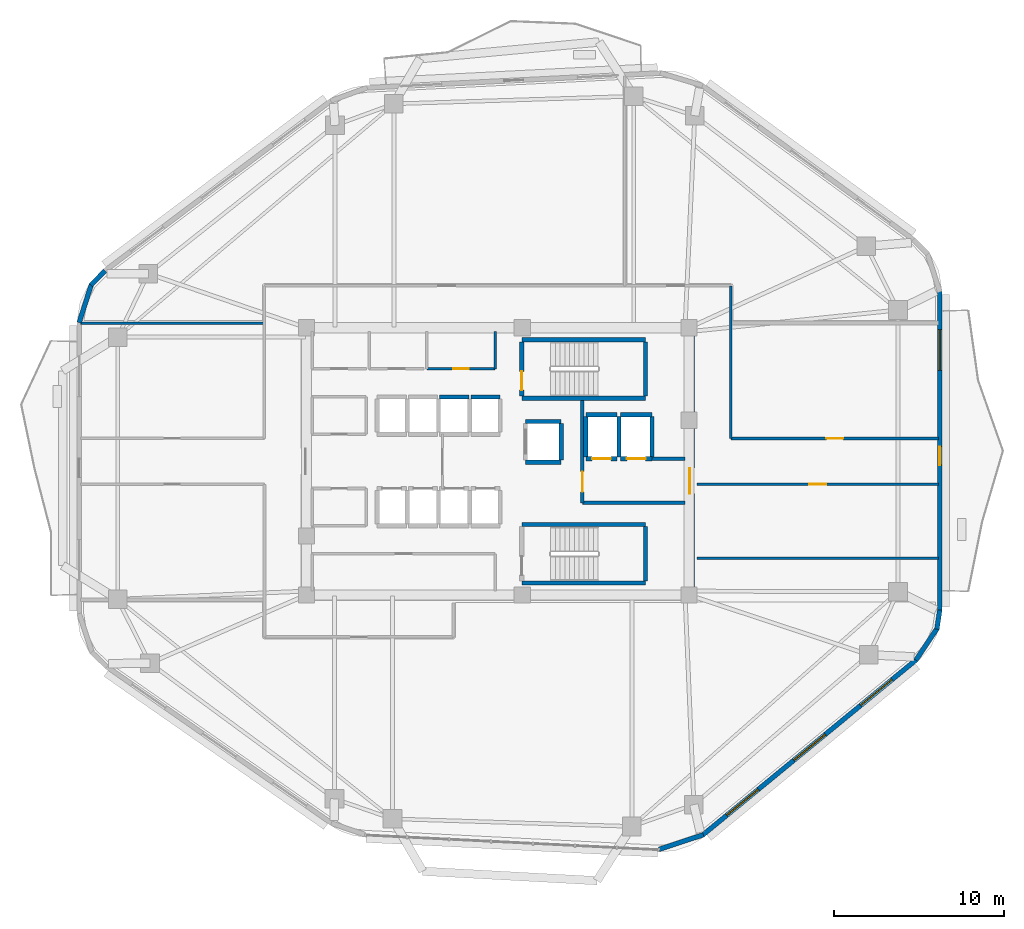
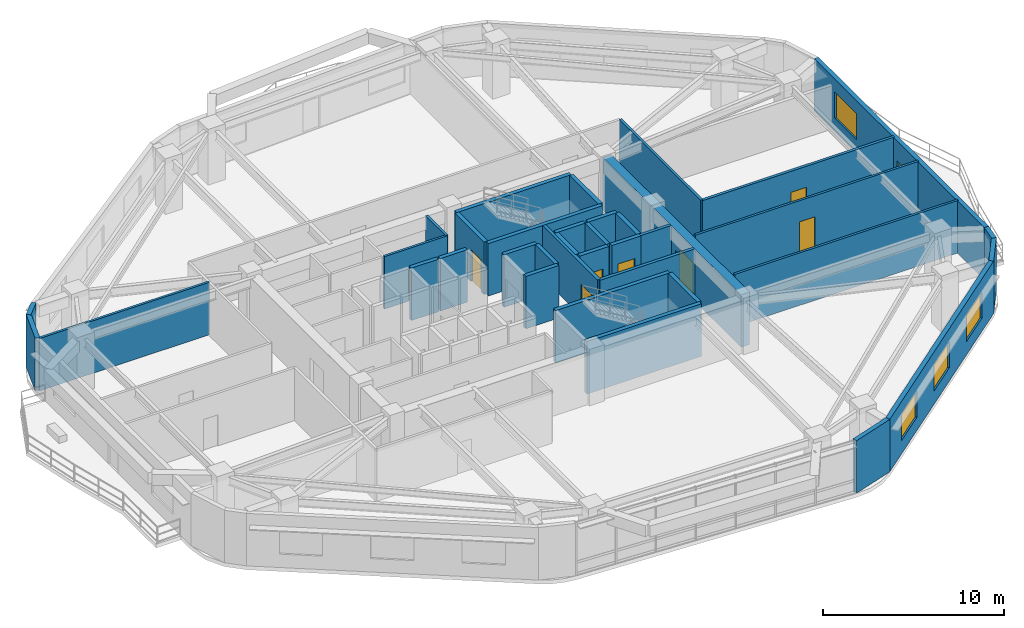
# One storey, part 10 of 14: 37 walls, 9 doors, 4 windows, 13 openings.
"""IFC4 building model written with IfcOpenShell, lengths in metres."""

from ifc_helpers import new_model, si_unit, direction, frame, frame_2d, origin, place, context, subcontext, project, spatial, rectangle, extrude, material, layer, layer_set, type_object, element, fill, save


model = new_model("IFC4")

# Units and contexts
model_context = context("Model", 3, precision=1e-05, world=origin(), true_north=direction((0.0, 1.0)))
body_context = subcontext(model_context, "Body", "Model", "MODEL_VIEW")
ifc_project = project(units=[si_unit("LENGTHUNIT", "METRE"), si_unit("AREAUNIT", "SQUARE_METRE"), si_unit("VOLUMEUNIT", "CUBIC_METRE"), si_unit("PLANEANGLEUNIT", "RADIAN"), si_unit("MASSUNIT", "GRAM", prefix="KILO")], contexts=[model_context])

# Site, building, storey
site_placement = place(None, origin())
site = spatial("IfcSite", under=ifc_project, at=site_placement, CompositionType="ELEMENT")
building_placement = place(site_placement, origin())
building = spatial("IfcBuilding", under=site, at=building_placement, Name="Zulverin Broadcast Headquarters", CompositionType="ELEMENT")
storey_placement = place(building_placement, frame((0.0, 0.0, 140.199951171875)))
storey = spatial("IfcBuildingStorey", under=building, at=storey_placement, Name="L35", CompositionType="ELEMENT", Elevation=140.199951171875)

# Wall, opening, door
ifc_material_1 = material(Name="Concrete C60/75", Category="concrete")
ifc_layer_1 = layer(ifc_material_1, 0.550048828125, Name="Concrete C60/75", Category="concrete")
ifc_layer_set_1 = layer_set([ifc_layer_1], Name="Concrete C60/75")
wall_type_1 = type_object("IfcWallType", Name="WL-CORE-550", PredefinedType="SHEAR", material=ifc_layer_set_1)
wall_1_placement = place(storey_placement, frame((48.324951171875, 17.550048828125, 0.0), z_axis=(0.0, 0.0, 1.0), x_axis=(0.0, 1.0, 0.0)))
wall_1 = element("IfcWall", 1, at=wall_1_placement, inside=storey, type_object=wall_type_1, Name="L35 Core East Shear Wall", PredefinedType="SHEAR", context=body_context, shape_type="SweptSolid", body=[
    extrude(rectangle(XDim=15.300048828125, YDim=0.550048828125, at=frame_2d((7.64990234375, 0.0))), origin(), (0.0, 0.0, 1.0), 3.5400390625),
])
opening_1_placement = place(wall_1_placement, frame((5.75, 0.0, 0.0)))
opening_1 = element("IfcOpeningElement", 2, at=opening_1_placement, cuts=wall_1, Name="Opening D-L35-CE1", PredefinedType="OPENING", context=body_context, shape_type="SweptSolid", body=[
    extrude(rectangle(XDim=1.5, YDim=2.14990234375, at=frame_2d((0.75, 1.074951171875))), frame((0.0, 0.284912109375, 0.0), z_axis=(0.0, -1.0, 0.0), x_axis=(1.0, 0.0, 0.0)), (0.0, 0.0, 1.0), 0.570068359375),
])
ifc_material_2 = material(Name="Fire-rated glazed steel frame", Category="steel")
door_type_1 = type_object("IfcDoorType", Name="DR-COR-1500", OperationType="DOUBLE_DOOR_SINGLE_SWING", PredefinedType="DOOR", material=ifc_material_2)
door_1_placement = place(opening_1_placement, origin())
door_1 = element("IfcDoor", 3, at=door_1_placement, inside=storey, type_object=door_type_1, Name="L35 Firefighting Lobby East Corridor Door", OperationType="DOUBLE_DOOR_SINGLE_SWING", OverallHeight=2.14990234375, OverallWidth=1.5, PredefinedType="DOOR", context=body_context, shape_type="SweptSolid", body=[
    extrude(rectangle(XDim=1.5, YDim=2.14990234375, at=frame_2d((0.75, 1.074951171875))), frame((0.0, 0.02490234375, 0.0), z_axis=(0.0, -1.0, 0.0), x_axis=(1.0, 0.0, 0.0)), (0.0, 0.0, 1.0), 0.050048828125),
])
fill(opening_1, door_1)

# Wall, openings, windows
ifc_material_3 = material(Name="Insulated pale-metal clad concrete spandrel C40/50", Category="concrete")
ifc_layer_2 = layer(ifc_material_3, 0.280029296875, Name="Insulated pale-metal clad concrete spandrel C40/50", Category="concrete")
ifc_layer_set_2 = layer_set([ifc_layer_2], Name="Insulated pale-metal clad concrete spandrel C40/50")
wall_type_2 = type_object("IfcWallType", Name="WL-EXT-280", PredefinedType="STANDARD", material=ifc_layer_set_2)
wall_2_placement = place(storey_placement, frame((49.080078125, 3.164306640625, 0.0), z_axis=(0.0, 0.0, 1.0), x_axis=(0.772937830186, 0.634481765433, 0.0)))
wall_2 = element("IfcWall", 4, at=wall_2_placement, inside=storey, type_object=wall_type_2, Name="L35 Pale-Metal Clad Spandrel Wall 2", PredefinedType="STANDARD", context=body_context, shape_type="SweptSolid", body=[
    extrude(rectangle(XDim=16.308837890625, YDim=0.280029296875, at=frame_2d((8.154296875, 0.0))), origin(), (0.0, 0.0, 1.0), 3.5400390625),
])
opening_2_placement = place(wall_2_placement, frame((1.8515625, 0.0, 0.89990234375)))
opening_2 = element("IfcOpeningElement", 5, at=opening_2_placement, cuts=wall_2, Name="Opening W-L35-E21", PredefinedType="OPENING", context=body_context, shape_type="SweptSolid", body=[
    extrude(rectangle(XDim=2.39990234375, YDim=1.75, at=frame_2d((1.199951171875, 0.875))), frame((0.0, 0.14990234375, 0.0), z_axis=(0.0, -1.0, 0.0), x_axis=(1.0, 0.0, 0.0)), (0.0, 0.0, 1.0), 0.300048828125),
])
opening_3_placement = place(wall_2_placement, frame((6.954345703125, 0.0, 0.89990234375)))
opening_3 = element("IfcOpeningElement", 6, at=opening_3_placement, cuts=wall_2, Name="Opening W-L35-E22", PredefinedType="OPENING", context=body_context, shape_type="SweptSolid", body=[
    extrude(rectangle(XDim=2.39990234375, YDim=1.75, at=frame_2d((1.199951171875, 0.875))), frame((0.0, 0.14990234375, 0.0), z_axis=(0.0, -1.0, 0.0), x_axis=(1.0, 0.0, 0.0)), (0.0, 0.0, 1.0), 0.300048828125),
])
opening_4_placement = place(wall_2_placement, frame((12.057373046875, 0.0, 0.89990234375)))
opening_4 = element("IfcOpeningElement", 7, at=opening_4_placement, cuts=wall_2, Name="Opening W-L35-E23", PredefinedType="OPENING", context=body_context, shape_type="SweptSolid", body=[
    extrude(rectangle(XDim=2.39990234375, YDim=1.75, at=frame_2d((1.199951171875, 0.875))), frame((0.0, 0.14990234375, 0.0), z_axis=(0.0, -1.0, 0.0), x_axis=(1.0, 0.0, 0.0)), (0.0, 0.0, 1.0), 0.300048828125),
])
ifc_material_4 = material(Name="Pale anodized aluminium frame with solar-control low-E double glazing", Category="aluminium")
window_type = type_object("IfcWindowType", Name="WIN-RIB-2400", PartitioningType="SINGLE_PANEL", PredefinedType="WINDOW", material=ifc_material_4)
window_1_placement = place(opening_2_placement, origin())
window_1 = element("IfcWindow", 8, at=window_1_placement, inside=storey, type_object=window_type, Name="L35 Ribbon Glazing Window 2 1", OverallHeight=1.75, OverallWidth=2.39990234375, PartitioningType="SINGLE_PANEL", PredefinedType="WINDOW", context=body_context, shape_type="SweptSolid", body=[
    extrude(rectangle(XDim=2.39990234375, YDim=1.75, at=frame_2d((1.199951171875, 0.875))), frame((0.0, 0.030029296875, 0.0), z_axis=(0.0, -1.0, 0.0), x_axis=(1.0, 0.0, 0.0)), (0.0, 0.0, 1.0), 0.06005859375),
])
fill(opening_2, window_1)
window_2_placement = place(opening_3_placement, origin())
window_2 = element("IfcWindow", 9, at=window_2_placement, inside=storey, type_object=window_type, Name="L35 Ribbon Glazing Window 2 2", OverallHeight=1.75, OverallWidth=2.39990234375, PartitioningType="SINGLE_PANEL", PredefinedType="WINDOW", context=body_context, shape_type="SweptSolid", body=[
    extrude(rectangle(XDim=2.39990234375, YDim=1.75, at=frame_2d((1.199951171875, 0.875))), frame((0.0, 0.030029296875, 0.0), z_axis=(0.0, -1.0, 0.0), x_axis=(1.0, 0.0, 0.0)), (0.0, 0.0, 1.0), 0.06005859375),
])
fill(opening_3, window_2)
window_3_placement = place(opening_4_placement, origin())
window_3 = element("IfcWindow", 10, at=window_3_placement, inside=storey, type_object=window_type, Name="L35 Ribbon Glazing Window 2 3", OverallHeight=1.75, OverallWidth=2.39990234375, PartitioningType="SINGLE_PANEL", PredefinedType="WINDOW", context=body_context, shape_type="SweptSolid", body=[
    extrude(rectangle(XDim=2.39990234375, YDim=1.75, at=frame_2d((1.199951171875, 0.875))), frame((0.0, 0.030029296875, 0.0), z_axis=(0.0, -1.0, 0.0), x_axis=(1.0, 0.0, 0.0)), (0.0, 0.0, 1.0), 0.06005859375),
])
fill(opening_4, window_3)

# Wall, openings, door, window
wall_3_placement = place(storey_placement, frame((63.06005859375, 16.418212890625, 0.0), z_axis=(0.0, 0.0, 1.0), x_axis=(0.0, 1.0, 0.0)))
wall_3 = element("IfcWall", 11, at=wall_3_placement, inside=storey, type_object=wall_type_2, Name="L35 Pale-Metal Clad Spandrel Wall 3", PredefinedType="STANDARD", context=body_context, shape_type="SweptSolid", body=[
    extrude(rectangle(XDim=18.811767578125, YDim=0.280029296875, at=frame_2d((9.40576171875, 0.0))), origin(), (0.0, 0.0, 1.0), 3.5400390625),
])
opening_5_placement = place(wall_3_placement, frame((8.555908203125, 0.0, 0.0)))
opening_5 = element("IfcOpeningElement", 12, at=opening_5_placement, cuts=wall_3, Name="Opening D-L35-TR3", PredefinedType="OPENING", context=body_context, shape_type="SweptSolid", body=[
    extrude(rectangle(XDim=1.10009765625, YDim=2.199951171875, at=frame_2d((0.550048828125, 1.10009765625))), frame((0.0, 0.14990234375, 0.0), z_axis=(0.0, -1.0, 0.0), x_axis=(1.0, 0.0, 0.0)), (0.0, 0.0, 1.0), 0.300048828125),
])
opening_6_placement = place(wall_3_placement, frame((14.14306640625, 0.0, 0.89990234375)))
opening_6 = element("IfcOpeningElement", 13, at=opening_6_placement, cuts=wall_3, Name="Opening W-L35-E31", PredefinedType="OPENING", context=body_context, shape_type="SweptSolid", body=[
    extrude(rectangle(XDim=2.39990234375, YDim=1.75, at=frame_2d((1.199951171875, 0.875))), frame((0.0, 0.14990234375, 0.0), z_axis=(0.0, -1.0, 0.0), x_axis=(1.0, 0.0, 0.0)), (0.0, 0.0, 1.0), 0.300048828125),
])
ifc_material_5 = material(Name="Thermally broken aluminium glazed", Category="aluminium")
door_type_2 = type_object("IfcDoorType", Name="DR-TERR-1100", OperationType="SINGLE_SWING_RIGHT", PredefinedType="DOOR", material=ifc_material_5)
door_2_placement = place(opening_5_placement, origin())
door_2 = element("IfcDoor", 14, at=door_2_placement, inside=storey, type_object=door_type_2, Name="L35 Planted Terrace Glazed Access Door 3", OperationType="SINGLE_SWING_RIGHT", OverallHeight=2.199951171875, OverallWidth=1.10009765625, PredefinedType="DOOR", context=body_context, shape_type="SweptSolid", body=[
    extrude(rectangle(XDim=1.10009765625, YDim=2.199951171875, at=frame_2d((0.550048828125, 1.10009765625))), frame((0.0, 0.02490234375, 0.0), z_axis=(0.0, -1.0, 0.0), x_axis=(1.0, 0.0, 0.0)), (0.0, 0.0, 1.0), 0.050048828125),
])
fill(opening_5, door_2)
window_4_placement = place(opening_6_placement, origin())
window_4 = element("IfcWindow", 15, at=window_4_placement, inside=storey, type_object=window_type, Name="L35 Ribbon Glazing Window 3 1", OverallHeight=1.75, OverallWidth=2.39990234375, PartitioningType="SINGLE_PANEL", PredefinedType="WINDOW", context=body_context, shape_type="SweptSolid", body=[
    extrude(rectangle(XDim=2.39990234375, YDim=1.75, at=frame_2d((1.199951171875, 0.875))), frame((0.0, 0.030029296875, 0.0), z_axis=(0.0, -1.0, 0.0), x_axis=(1.0, 0.0, 0.0)), (0.0, 0.0, 1.0), 0.06005859375),
])
fill(opening_6, window_4)

# Walls
wall_4_placement = place(storey_placement, frame((46.516845703125, 2.328857421875, 0.0), z_axis=(0.0, 0.0, 1.0), x_axis=(0.949665414269, 0.313266022642, 0.0)))
element("IfcWall", 16, at=wall_4_placement, inside=storey, type_object=wall_type_2, Name="L35 Wind-Shaped Corner Spandrel Wall 1-1", PredefinedType="STANDARD", context=body_context, shape_type="SweptSolid", body=[
    extrude(rectangle(XDim=2.746337890625, YDim=0.280029296875, at=frame_2d((1.373046875, 0.0))), origin(), (0.0, 0.0, 1.0), 3.5400390625),
])
wall_5_placement = place(storey_placement, frame((61.658203125, 13.481689453125, 0.0), z_axis=(0.0, 0.0, 1.0), x_axis=(0.555521224344, 0.831502356764, 0.0)))
element("IfcWall", 17, at=wall_5_placement, inside=storey, type_object=wall_type_2, Name="L35 Wind-Shaped Corner Spandrel Wall 2-1", PredefinedType="STANDARD", context=body_context, shape_type="SweptSolid", body=[
    extrude(rectangle(XDim=2.263671875, YDim=0.280029296875, at=frame_2d((1.1318359375, 0.0))), origin(), (0.0, 0.0, 1.0), 3.5400390625),
])
wall_6_placement = place(storey_placement, frame((62.8935546875, 15.306884765625, 0.0), z_axis=(0.0, 0.0, 1.0), x_axis=(0.146796104284, 0.989166772474, 0.0)))
element("IfcWall", 18, at=wall_6_placement, inside=storey, type_object=wall_type_2, Name="L35 Wind-Shaped Corner Spandrel Wall 2-2", PredefinedType="STANDARD", context=body_context, shape_type="SweptSolid", body=[
    extrude(rectangle(XDim=1.144287109375, YDim=0.280029296875, at=frame_2d((0.572265625, 0.0))), origin(), (0.0, 0.0, 1.0), 3.5400390625),
])
wall_7_placement = place(storey_placement, frame((13.8564453125, 36.4384765625, 0.0), z_axis=(0.0, 0.0, 1.0), x_axis=(-0.697369094044, -0.716712178404, 0.0)))
element("IfcWall", 19, at=wall_7_placement, inside=storey, type_object=wall_type_2, Name="L35 Wind-Shaped Corner Spandrel Wall 6-1", PredefinedType="STANDARD", context=body_context, shape_type="SweptSolid", body=[
    extrude(rectangle(XDim=1.198974609375, YDim=0.280029296875, at=frame_2d((0.599609375, 0.0))), origin(), (0.0, 0.0, 1.0), 3.5400390625),
])
wall_8_placement = place(storey_placement, frame((13.053466796875, 35.63427734375, 0.0), z_axis=(0.0, 0.0, 1.0), x_axis=(-0.303807416298, -0.952733464198, 0.0)))
element("IfcWall", 20, at=wall_8_placement, inside=storey, type_object=wall_type_2, Name="L35 Wind-Shaped Corner Spandrel Wall 6-2", PredefinedType="STANDARD", context=body_context, shape_type="SweptSolid", body=[
    extrude(rectangle(XDim=2.369873046875, YDim=0.280029296875, at=frame_2d((1.18505859375, 0.0))), origin(), (0.0, 0.0, 1.0), 3.5400390625),
])

# Wall, opening, door
ifc_material_6 = material(Name="Concrete C40/50", Category="concrete")
ifc_layer_3 = layer(ifc_material_6, 0.199951171875, Name="Concrete C40/50", Category="concrete")
ifc_layer_set_3 = layer_set([ifc_layer_3], Name="Concrete C40/50")
wall_type_3 = type_object("IfcWallType", Name="WL-FFL-200", PredefinedType="SOLIDWALL", material=ifc_layer_set_3)
wall_9_placement = place(storey_placement, frame((42.0, 22.75, 0.0), z_axis=(0.0, 0.0, 1.0), x_axis=(0.0, 1.0, 0.0)))
wall_9 = element("IfcWall", 21, at=wall_9_placement, inside=storey, type_object=wall_type_3, Name="L35 Firefighting Lift Lobby West Wall", PredefinedType="SOLIDWALL", context=body_context, shape_type="SweptSolid", body=[
    extrude(rectangle(XDim=6.050048828125, YDim=0.199951171875, at=frame_2d((3.02490234375, 0.0))), origin(), (0.0, 0.0, 1.0), 3.5400390625),
])
opening_7_placement = place(wall_9_placement, frame((0.64990234375, 0.0, 0.0)))
opening_7 = element("IfcOpeningElement", 22, at=opening_7_placement, cuts=wall_9, Name="Opening D-L35-FFLW", PredefinedType="OPENING", context=body_context, shape_type="SweptSolid", body=[
    extrude(rectangle(XDim=1.199951171875, YDim=2.14990234375, at=frame_2d((0.60009765625, 1.074951171875))), frame((0.0, 0.10986328125, 0.0), z_axis=(0.0, -1.0, 0.0), x_axis=(1.0, 0.0, 0.0)), (0.0, 0.0, 1.0), 0.219970703125),
])
ifc_material_7 = material(Name="Fire-rated steel leaf and frame", Category="steel")
door_type_3 = type_object("IfcDoorType", Name="DR-FFL-1200", OperationType="SINGLE_SWING_RIGHT", PredefinedType="DOOR", material=ifc_material_7)
door_3_placement = place(opening_7_placement, origin())
door_3 = element("IfcDoor", 23, at=door_3_placement, inside=storey, type_object=door_type_3, Name="L35 Firefighting Lift Lobby Door", OperationType="SINGLE_SWING_RIGHT", OverallHeight=2.14990234375, OverallWidth=1.199951171875, PredefinedType="DOOR", context=body_context, shape_type="SweptSolid", body=[
    extrude(rectangle(XDim=1.199951171875, YDim=2.14990234375, at=frame_2d((0.60009765625, 1.074951171875))), frame((0.0, 0.02490234375, 0.0), z_axis=(0.0, -1.0, 0.0), x_axis=(1.0, 0.0, 0.0)), (0.0, 0.0, 1.0), 0.050048828125),
])
fill(opening_7, door_3)

# Walls
wall_10_placement = place(storey_placement, frame((42.0, 22.75, 0.0), z_axis=(0.0, 0.0, 1.0), x_axis=(1.0, 0.0, 0.0)))
element("IfcWall", 24, at=wall_10_placement, inside=storey, type_object=wall_type_3, Name="L35 Firefighting Lift Lobby South Wall", PredefinedType="SOLIDWALL", context=body_context, shape_type="SweptSolid", body=[
    extrude(rectangle(XDim=6.050048828125, YDim=0.199951171875, at=frame_2d((3.02490234375, 0.0))), origin(), (0.0, 0.0, 1.0), 3.5400390625),
])
wall_11_placement = place(storey_placement, frame((46.10009765625, 25.35009765625, 0.0), z_axis=(0.0, 0.0, 1.0), x_axis=(1.0, 0.0, 0.0)))
element("IfcWall", 25, at=wall_11_placement, inside=storey, type_object=wall_type_3, Name="L35 Firefighting Lift Lobby North Wall", PredefinedType="SOLIDWALL", context=body_context, shape_type="SweptSolid", body=[
    extrude(rectangle(XDim=1.949951171875, YDim=0.199951171875, at=frame_2d((0.97509765625, 0.0))), origin(), (0.0, 0.0, 1.0), 3.5400390625),
])

# Wall, opening, door
ifc_material_8 = material(Name="Fire-rated gypsum stud partition", Category="gypsum")
ifc_layer_4 = layer(ifc_material_8, 0.14990234375, Name="Fire-rated gypsum stud partition", Category="gypsum")
ifc_layer_set_4 = layer_set([ifc_layer_4], Name="Fire-rated gypsum stud partition")
wall_type_4 = type_object("IfcWallType", Name="WL-PART-150", PredefinedType="PARTITIONING", material=ifc_layer_set_4)
wall_12_placement = place(storey_placement, frame((32.830078125, 30.64990234375, 0.0), z_axis=(0.0, 0.0, 1.0), x_axis=(1.0, 0.0, 0.0)))
wall_12 = element("IfcWall", 26, at=wall_12_placement, inside=storey, type_object=wall_type_4, Name="L35 Core Electrical Switch Riser Front Wall", PredefinedType="PARTITIONING", context=body_context, shape_type="SweptSolid", body=[
    extrude(rectangle(XDim=4.02001953125, YDim=0.14990234375, at=frame_2d((2.010009765625, 0.0))), origin(), (0.0, 0.0, 1.0), 3.5400390625),
])
opening_8_placement = place(wall_12_placement, frame((1.56005859375, 0.0, 0.0)))
opening_8 = element("IfcOpeningElement", 27, at=opening_8_placement, cuts=wall_12, Name="Opening D-L35-NC3", PredefinedType="OPENING", context=body_context, shape_type="SweptSolid", body=[
    extrude(rectangle(XDim=0.89990234375, YDim=2.10009765625, at=frame_2d((0.449951171875, 1.050048828125))), frame((0.0, 0.0849609375, 0.0), z_axis=(0.0, -1.0, 0.0), x_axis=(1.0, 0.0, 0.0)), (0.0, 0.0, 1.0), 0.169921875),
])
ifc_material_9 = material(Name="Powder-coated steel access leaf", Category="steel")
door_type_4 = type_object("IfcDoorType", Name="DR-RISER-900", OperationType="SINGLE_SWING_LEFT", PredefinedType="DOOR", material=ifc_material_9)
door_4_placement = place(opening_8_placement, origin())
door_4 = element("IfcDoor", 28, at=door_4_placement, inside=storey, type_object=door_type_4, Name="L35 Electrical Switch Riser Door", OperationType="SINGLE_SWING_LEFT", OverallHeight=2.10009765625, OverallWidth=0.89990234375, PredefinedType="DOOR", context=body_context, shape_type="SweptSolid", body=[
    extrude(rectangle(XDim=0.89990234375, YDim=2.10009765625, at=frame_2d((0.449951171875, 1.050048828125))), frame((0.0, 0.02490234375, 0.0), z_axis=(0.0, -1.0, 0.0), x_axis=(1.0, 0.0, 0.0)), (0.0, 0.0, 1.0), 0.050048828125),
])
fill(opening_8, door_4)

# Walls
wall_13_placement = place(storey_placement, frame((36.85009765625, 30.64990234375, 0.0), z_axis=(0.0, 0.0, 1.0), x_axis=(0.0, 1.0, 0.0)))
element("IfcWall", 29, at=wall_13_placement, inside=storey, type_object=wall_type_4, Name="L35 Core Electrical Switch Riser East Wall", PredefinedType="PARTITIONING", context=body_context, shape_type="SweptSolid", body=[
    extrude(rectangle(XDim=2.2001953125, YDim=0.14990234375, at=frame_2d((1.10009765625, 0.0))), origin(), (0.0, 0.0, 1.0), 3.5400390625),
])
wall_14_placement = place(storey_placement, frame((50.75, 26.550048828125, 0.0), z_axis=(0.0, 0.0, 1.0), x_axis=(0.0, 1.0, 0.0)))
element("IfcWall", 30, at=wall_14_placement, inside=storey, type_object=wall_type_4, Name="L35 Gallery Partition Wall CG-01", PredefinedType="PARTITIONING", context=body_context, shape_type="SweptSolid", body=[
    extrude(rectangle(XDim=9.0, YDim=0.14990234375, at=frame_2d((4.5, 0.0))), origin(), (0.0, 0.0, 1.0), 3.5400390625),
])
wall_15_placement = place(storey_placement, frame((48.739990234375, 19.5, 0.0), z_axis=(0.0, 0.0, 1.0), x_axis=(1.0, 0.0, 0.0)))
element("IfcWall", 31, at=wall_15_placement, inside=storey, type_object=wall_type_4, Name="L35 Room Partition Wall RP-08", PredefinedType="PARTITIONING", context=body_context, shape_type="SweptSolid", body=[
    extrude(rectangle(XDim=14.255126953125, YDim=0.14990234375, at=frame_2d((7.12744140625, 0.0))), origin(), (0.0, 0.0, 1.0), 3.5400390625),
])

# Wall, opening, door
wall_16_placement = place(storey_placement, frame((48.739990234375, 23.85009765625, 0.0), z_axis=(0.0, 0.0, 1.0), x_axis=(1.0, 0.0, 0.0)))
wall_16 = element("IfcWall", 32, at=wall_16_placement, inside=storey, type_object=wall_type_4, Name="L35 Gallery Partition Wall CG-10", PredefinedType="PARTITIONING", context=body_context, shape_type="SweptSolid", body=[
    extrude(rectangle(XDim=14.255126953125, YDim=0.14990234375, at=frame_2d((7.12744140625, 0.0))), origin(), (0.0, 0.0, 1.0), 3.5400390625),
])
opening_9_placement = place(wall_16_placement, frame((6.62744140625, 0.0, 0.0)))
opening_9 = element("IfcOpeningElement", 33, at=opening_9_placement, cuts=wall_16, Name="Opening D-L35-06", PredefinedType="OPENING", context=body_context, shape_type="SweptSolid", body=[
    extrude(rectangle(XDim=1.0, YDim=2.1201171875, at=frame_2d((0.5, 1.06005859375))), frame((0.0, 0.0849609375, 0.0), z_axis=(0.0, -1.0, 0.0), x_axis=(1.0, 0.0, 0.0)), (0.0, 0.0, 1.0), 0.169921875),
])
ifc_material_10 = material(Name="Hardwood veneer acoustic leaf", Category="wood")
door_type_5 = type_object("IfcDoorType", Name="DR-OFF-1000", OperationType="SINGLE_SWING_LEFT", PredefinedType="DOOR", material=ifc_material_10)
door_5_placement = place(opening_9_placement, origin())
door_5 = element("IfcDoor", 34, at=door_5_placement, inside=storey, type_object=door_type_5, Name="L35 Weather & Climate Office Door", OperationType="SINGLE_SWING_LEFT", OverallHeight=2.1201171875, OverallWidth=1.0, PredefinedType="DOOR", context=body_context, shape_type="SweptSolid", body=[
    extrude(rectangle(XDim=1.0, YDim=2.1201171875, at=frame_2d((0.5, 1.06005859375))), frame((0.0, 0.02490234375, 0.0), z_axis=(0.0, -1.0, 0.0), x_axis=(1.0, 0.0, 0.0)), (0.0, 0.0, 1.0), 0.050048828125),
])
fill(opening_9, door_5)

# Wall
wall_17_placement = place(storey_placement, frame((12.405029296875, 33.35009765625, 0.0), z_axis=(0.0, 0.0, 1.0), x_axis=(1.0, 0.0, 0.0)))
element("IfcWall", 35, at=wall_17_placement, inside=storey, type_object=wall_type_4, Name="L35 Room Partition Wall RP-13", PredefinedType="PARTITIONING", context=body_context, shape_type="SweptSolid", body=[
    extrude(rectangle(XDim=10.844970703125, YDim=0.14990234375, at=frame_2d((5.42236328125, 0.0))), origin(), (0.0, 0.0, 1.0), 3.5400390625),
])

# Wall, opening, door
ifc_material_11 = material(Name="Fire-rated acoustic stud wall", Category="gypsum")
ifc_layer_5 = layer(ifc_material_11, 0.175048828125, Name="Fire-rated acoustic stud wall", Category="gypsum")
ifc_layer_set_5 = layer_set([ifc_layer_5], Name="Fire-rated acoustic stud wall")
wall_type_5 = type_object("IfcWallType", Name="WL-PART-175", PredefinedType="PARTITIONING", material=ifc_layer_set_5)
wall_18_placement = place(storey_placement, frame((50.75, 26.550048828125, 0.0), z_axis=(0.0, 0.0, 1.0), x_axis=(1.0, 0.0, 0.0)))
wall_18 = element("IfcWall", 36, at=wall_18_placement, inside=storey, type_object=wall_type_5, Name="L35 Gallery Partition Wall CG-12", PredefinedType="PARTITIONING", context=body_context, shape_type="SweptSolid", body=[
    extrude(rectangle(XDim=12.2451171875, YDim=0.175048828125, at=frame_2d((6.12255859375, 0.0))), origin(), (0.0, 0.0, 1.0), 3.5400390625),
])
opening_10_placement = place(wall_18_placement, frame((5.62255859375, 0.0, 0.0)))
opening_10 = element("IfcOpeningElement", 37, at=opening_10_placement, cuts=wall_18, Name="Opening D-L35-07", PredefinedType="OPENING", context=body_context, shape_type="SweptSolid", body=[
    extrude(rectangle(XDim=1.0, YDim=2.1201171875, at=frame_2d((0.5, 1.06005859375))), frame((0.0, 0.097412109375, 0.0), z_axis=(0.0, -1.0, 0.0), x_axis=(1.0, 0.0, 0.0)), (0.0, 0.0, 1.0), 0.195068359375),
])
door_6_placement = place(opening_10_placement, origin())
door_6 = element("IfcDoor", 38, at=door_6_placement, inside=storey, type_object=door_type_5, Name="L35 Data Journalism Open Workplace Door", OperationType="SINGLE_SWING_RIGHT", OverallHeight=2.1201171875, OverallWidth=1.0, PredefinedType="DOOR", context=body_context, shape_type="SweptSolid", body=[
    extrude(rectangle(XDim=1.0, YDim=2.1201171875, at=frame_2d((0.5, 1.06005859375))), frame((0.0, 0.02490234375, 0.0), z_axis=(0.0, -1.0, 0.0), x_axis=(1.0, 0.0, 0.0)), (0.0, 0.0, 1.0), 0.050048828125),
])
fill(opening_10, door_6)

# Walls
ifc_material_12 = material(Name="Concrete C50/60", Category="concrete")
ifc_layer_6 = layer(ifc_material_12, 0.25, Name="Concrete C50/60", Category="concrete")
ifc_layer_set_6 = layer_set([ifc_layer_6], Name="Concrete C50/60")
wall_type_6 = type_object("IfcWallType", Name="WL-SHAFT-250", PredefinedType="SHEAR", material=ifc_layer_set_6)
for number, where, z_axis, x_axis, name in (
    (39, (38.425048828125, 28.925048828125, 0.0), (0.0, 0.0, 1.0), (1.0, 0.0, 0.0), "L35 ST-1 Enclosure Wall S"),
    (40, (38.425048828125, 32.375, 0.0), (0.0, 0.0, 1.0), (1.0, 0.0, 0.0), "L35 ST-1 Enclosure Wall N"),
):
    element("IfcWall", number, at=place(storey_placement, frame(where, z_axis=z_axis, x_axis=x_axis)), inside=storey, type_object=wall_type_6, Name=name, PredefinedType="SHEAR", context=body_context, shape_type="SweptSolid", body=[
        extrude(rectangle(XDim=7.300048828125, YDim=0.25, at=frame_2d((3.64990234375, 0.0))), origin(), (0.0, 0.0, 1.0), 3.5400390625),
    ])

# Wall, opening, door
wall_19_placement = place(storey_placement, frame((38.425048828125, 29.050048828125, 0.0), z_axis=(0.0, 0.0, 1.0), x_axis=(0.0, 1.0, 0.0)))
wall_19 = element("IfcWall", 41, at=wall_19_placement, inside=storey, type_object=wall_type_6, Name="L35 ST-1 Enclosure Wall W", PredefinedType="SHEAR", context=body_context, shape_type="SweptSolid", body=[
    extrude(rectangle(XDim=3.199951171875, YDim=0.25, at=frame_2d((1.60009765625, 0.0))), origin(), (0.0, 0.0, 1.0), 3.5400390625),
])
opening_11_placement = place(wall_19_placement, frame((0.35009765625, 0.0, 0.0)))
opening_11 = element("IfcOpeningElement", 42, at=opening_11_placement, cuts=wall_19, Name="Opening D-L35-ST-1", PredefinedType="OPENING", context=body_context, shape_type="SweptSolid", body=[
    extrude(rectangle(XDim=1.10009765625, YDim=2.14990234375, at=frame_2d((0.550048828125, 1.074951171875))), frame((0.0, 0.135009765625, 0.0), z_axis=(0.0, -1.0, 0.0), x_axis=(1.0, 0.0, 0.0)), (0.0, 0.0, 1.0), 0.27001953125),
])
door_type_6 = type_object("IfcDoorType", Name="DR-STAIR-1100", OperationType="SINGLE_SWING_LEFT", PredefinedType="DOOR", material=ifc_material_7)
door_7_placement = place(opening_11_placement, origin())
door_7 = element("IfcDoor", 43, at=door_7_placement, inside=storey, type_object=door_type_6, Name="L35 Exit Stair ST-1 Fire Door", OperationType="SINGLE_SWING_LEFT", OverallHeight=2.14990234375, OverallWidth=1.10009765625, PredefinedType="DOOR", context=body_context, shape_type="SweptSolid", body=[
    extrude(rectangle(XDim=1.10009765625, YDim=2.14990234375, at=frame_2d((0.550048828125, 1.074951171875))), frame((0.0, 0.02490234375, 0.0), z_axis=(0.0, -1.0, 0.0), x_axis=(1.0, 0.0, 0.0)), (0.0, 0.0, 1.0), 0.050048828125),
])
fill(opening_11, door_7)

# Walls
wall_20_placement = place(storey_placement, frame((45.72509765625, 29.050048828125, 0.0), z_axis=(0.0, 0.0, 1.0), x_axis=(0.0, 1.0, 0.0)))
element("IfcWall", 44, at=wall_20_placement, inside=storey, type_object=wall_type_6, Name="L35 ST-1 Enclosure Wall E", PredefinedType="SHEAR", context=body_context, shape_type="SweptSolid", body=[
    extrude(rectangle(XDim=3.199951171875, YDim=0.25, at=frame_2d((1.60009765625, 0.0))), origin(), (0.0, 0.0, 1.0), 3.5400390625),
])
for number, where, z_axis, x_axis, name in (
    (45, (38.425048828125, 18.02490234375, 0.0), (0.0, 0.0, 1.0), (1.0, 0.0, 0.0), "L35 ST-2 Enclosure Wall S"),
    (46, (38.425048828125, 21.47509765625, 0.0), (0.0, 0.0, 1.0), (1.0, 0.0, 0.0), "L35 ST-2 Enclosure Wall N"),
):
    element("IfcWall", number, at=place(storey_placement, frame(where, z_axis=z_axis, x_axis=x_axis)), inside=storey, type_object=wall_type_6, Name=name, PredefinedType="SHEAR", context=body_context, shape_type="SweptSolid", body=[
        extrude(rectangle(XDim=7.300048828125, YDim=0.25, at=frame_2d((3.64990234375, 0.0))), origin(), (0.0, 0.0, 1.0), 3.5400390625),
    ])
wall_21_placement = place(storey_placement, frame((45.72509765625, 18.14990234375, 0.0), z_axis=(0.0, 0.0, 1.0), x_axis=(0.0, 1.0, 0.0)))
element("IfcWall", 47, at=wall_21_placement, inside=storey, type_object=wall_type_6, Name="L35 ST-2 Enclosure Wall E", PredefinedType="SHEAR", context=body_context, shape_type="SweptSolid", body=[
    extrude(rectangle(XDim=3.2001953125, YDim=0.25, at=frame_2d((1.60009765625, 0.0))), origin(), (0.0, 0.0, 1.0), 3.5400390625),
])
for number, where, z_axis, x_axis, name in (
    (48, (33.580078125, 29.0, 0.0), (0.0, 0.0, 1.0), (1.0, 0.0, 0.0), "L35 Lift PL-H3 Shaft Wall N"),
    (49, (35.419921875, 29.0, 0.0), (0.0, 0.0, 1.0), (1.0, 0.0, 0.0), "L35 Lift PL-H4 Shaft Wall N"),
):
    element("IfcWall", number, at=place(storey_placement, frame(where, z_axis=z_axis, x_axis=x_axis)), inside=storey, type_object=wall_type_6, Name=name, PredefinedType="SHEAR", context=body_context, shape_type="SweptSolid", body=[
        extrude(rectangle(XDim=1.719970703125, YDim=0.25, at=frame_2d((0.85986328125, 0.0))), origin(), (0.0, 0.0, 1.0), 3.5400390625),
    ])

# Wall, opening, door
wall_22_placement = place(storey_placement, frame((42.199951171875, 25.35009765625, 0.0), z_axis=(0.0, 0.0, 1.0), x_axis=(1.0, 0.0, 0.0)))
wall_22 = element("IfcWall", 50, at=wall_22_placement, inside=storey, type_object=wall_type_6, Name="L35 Lift FFL-1 Shaft Wall S", PredefinedType="SHEAR", context=body_context, shape_type="SweptSolid", body=[
    extrude(rectangle(XDim=1.85009765625, YDim=0.25, at=frame_2d((0.925048828125, 0.0))), origin(), (0.0, 0.0, 1.0), 3.5400390625),
])
opening_12_placement = place(wall_22_placement, frame((0.375, 0.0, 0.0)))
opening_12 = element("IfcOpeningElement", 51, at=opening_12_placement, cuts=wall_22, Name="Opening LD-FFL-1-L35", PredefinedType="OPENING", context=body_context, shape_type="SweptSolid", body=[
    extrude(rectangle(XDim=1.10009765625, YDim=2.14990234375, at=frame_2d((0.550048828125, 1.074951171875))), frame((0.0, 0.135009765625, 0.0), z_axis=(0.0, -1.0, 0.0), x_axis=(1.0, 0.0, 0.0)), (0.0, 0.0, 1.0), 0.27001953125),
])
ifc_material_13 = material(Name="Fire-rated stainless landing door", Category="steel")
door_type_7 = type_object("IfcDoorType", Name="LD-FFL-1100", OperationType="DOUBLE_DOOR_SLIDING", PredefinedType="DOOR", material=ifc_material_13)
door_8_placement = place(opening_12_placement, origin())
door_8 = element("IfcDoor", 52, at=door_8_placement, inside=storey, type_object=door_type_7, Name="L35 Lift FFL-1 Sliding Landing Door", OperationType="DOUBLE_DOOR_SLIDING", OverallHeight=2.14990234375, OverallWidth=1.10009765625, PredefinedType="DOOR", context=body_context, shape_type="SweptSolid", body=[
    extrude(rectangle(XDim=1.10009765625, YDim=2.14990234375, at=frame_2d((0.550048828125, 1.074951171875))), frame((0.0, 0.02490234375, 0.0), z_axis=(0.0, -1.0, 0.0), x_axis=(1.0, 0.0, 0.0)), (0.0, 0.0, 1.0), 0.050048828125),
])
fill(opening_12, door_8)

# Walls
wall_23_placement = place(storey_placement, frame((42.199951171875, 27.949951171875, 0.0), z_axis=(0.0, 0.0, 1.0), x_axis=(1.0, 0.0, 0.0)))
element("IfcWall", 53, at=wall_23_placement, inside=storey, type_object=wall_type_6, Name="L35 Lift FFL-1 Shaft Wall N", PredefinedType="SHEAR", context=body_context, shape_type="SweptSolid", body=[
    extrude(rectangle(XDim=1.85009765625, YDim=0.25, at=frame_2d((0.925048828125, 0.0))), origin(), (0.0, 0.0, 1.0), 3.5400390625),
])
for number, where, z_axis, x_axis, name in (
    (54, (42.199951171875, 25.469970703125, 0.0), (0.0, 0.0, 1.0), (0.0, 1.0, 0.0), "L35 Lift FFL-1 Shaft Wall W"),
    (55, (44.14990234375, 25.469970703125, 0.0), (0.0, 0.0, 1.0), (0.0, 1.0, 0.0), "L35 Lift FFL-1 Shaft Wall E"),
):
    element("IfcWall", number, at=place(storey_placement, frame(where, z_axis=z_axis, x_axis=x_axis)), inside=storey, type_object=wall_type_6, Name=name, PredefinedType="SHEAR", context=body_context, shape_type="SweptSolid", body=[
        extrude(rectangle(XDim=2.360107421875, YDim=0.25, at=frame_2d((1.18017578125, 0.0))), origin(), (0.0, 0.0, 1.0), 3.5400390625),
    ])

# Wall, opening, door
wall_24_placement = place(storey_placement, frame((44.25, 25.35009765625, 0.0), z_axis=(0.0, 0.0, 1.0), x_axis=(1.0, 0.0, 0.0)))
wall_24 = element("IfcWall", 56, at=wall_24_placement, inside=storey, type_object=wall_type_6, Name="L35 Lift FFL-2 Shaft Wall S", PredefinedType="SHEAR", context=body_context, shape_type="SweptSolid", body=[
    extrude(rectangle(XDim=1.85009765625, YDim=0.25, at=frame_2d((0.925048828125, 0.0))), origin(), (0.0, 0.0, 1.0), 3.5400390625),
])
opening_13_placement = place(wall_24_placement, frame((0.375, 0.0, 0.0)))
opening_13 = element("IfcOpeningElement", 57, at=opening_13_placement, cuts=wall_24, Name="Opening LD-FFL-2-L35", PredefinedType="OPENING", context=body_context, shape_type="SweptSolid", body=[
    extrude(rectangle(XDim=1.10009765625, YDim=2.14990234375, at=frame_2d((0.550048828125, 1.074951171875))), frame((0.0, 0.135009765625, 0.0), z_axis=(0.0, -1.0, 0.0), x_axis=(1.0, 0.0, 0.0)), (0.0, 0.0, 1.0), 0.27001953125),
])
door_9_placement = place(opening_13_placement, origin())
door_9 = element("IfcDoor", 58, at=door_9_placement, inside=storey, type_object=door_type_7, Name="L35 Lift FFL-2 Sliding Landing Door", OperationType="DOUBLE_DOOR_SLIDING", OverallHeight=2.14990234375, OverallWidth=1.10009765625, PredefinedType="DOOR", context=body_context, shape_type="SweptSolid", body=[
    extrude(rectangle(XDim=1.10009765625, YDim=2.14990234375, at=frame_2d((0.550048828125, 1.074951171875))), frame((0.0, 0.02490234375, 0.0), z_axis=(0.0, -1.0, 0.0), x_axis=(1.0, 0.0, 0.0)), (0.0, 0.0, 1.0), 0.050048828125),
])
fill(opening_13, door_9)

# Walls
wall_25_placement = place(storey_placement, frame((44.25, 27.949951171875, 0.0), z_axis=(0.0, 0.0, 1.0), x_axis=(1.0, 0.0, 0.0)))
element("IfcWall", 59, at=wall_25_placement, inside=storey, type_object=wall_type_6, Name="L35 Lift FFL-2 Shaft Wall N", PredefinedType="SHEAR", context=body_context, shape_type="SweptSolid", body=[
    extrude(rectangle(XDim=1.85009765625, YDim=0.25, at=frame_2d((0.925048828125, 0.0))), origin(), (0.0, 0.0, 1.0), 3.5400390625),
])
wall_26_placement = place(storey_placement, frame((46.10009765625, 25.469970703125, 0.0), z_axis=(0.0, 0.0, 1.0), x_axis=(0.0, 1.0, 0.0)))
element("IfcWall", 60, at=wall_26_placement, inside=storey, type_object=wall_type_6, Name="L35 Lift FFL-2 Shaft Wall E", PredefinedType="SHEAR", context=body_context, shape_type="SweptSolid", body=[
    extrude(rectangle(XDim=2.360107421875, YDim=0.25, at=frame_2d((1.18017578125, 0.0))), origin(), (0.0, 0.0, 1.0), 3.5400390625),
])
for number, where, z_axis, x_axis, name in (
    (61, (38.64990234375, 25.14990234375, 0.0), (0.0, 0.0, 1.0), (1.0, 0.0, 0.0), "L35 Lift SVL-1 Shaft Wall S"),
    (62, (38.64990234375, 27.550048828125, 0.0), (0.0, 0.0, 1.0), (1.0, 0.0, 0.0), "L35 Lift SVL-1 Shaft Wall N"),
):
    element("IfcWall", number, at=place(storey_placement, frame(where, z_axis=z_axis, x_axis=x_axis)), inside=storey, type_object=wall_type_6, Name=name, PredefinedType="SHEAR", context=body_context, shape_type="SweptSolid", body=[
        extrude(rectangle(XDim=2.10009765625, YDim=0.25, at=frame_2d((1.050048828125, 0.0))), origin(), (0.0, 0.0, 1.0), 3.5400390625),
    ])
wall_27_placement = place(storey_placement, frame((40.75, 25.27001953125, 0.0), z_axis=(0.0, 0.0, 1.0), x_axis=(0.0, 1.0, 0.0)))
element("IfcWall", 63, at=wall_27_placement, inside=storey, type_object=wall_type_6, Name="L35 Lift SVL-1 Shaft Wall E", PredefinedType="SHEAR", context=body_context, shape_type="SweptSolid", body=[
    extrude(rectangle(XDim=2.159912109375, YDim=0.25, at=frame_2d((1.080078125, 0.0))), origin(), (0.0, 0.0, 1.0), 3.5400390625),
])

save(model, "model.ifc")
